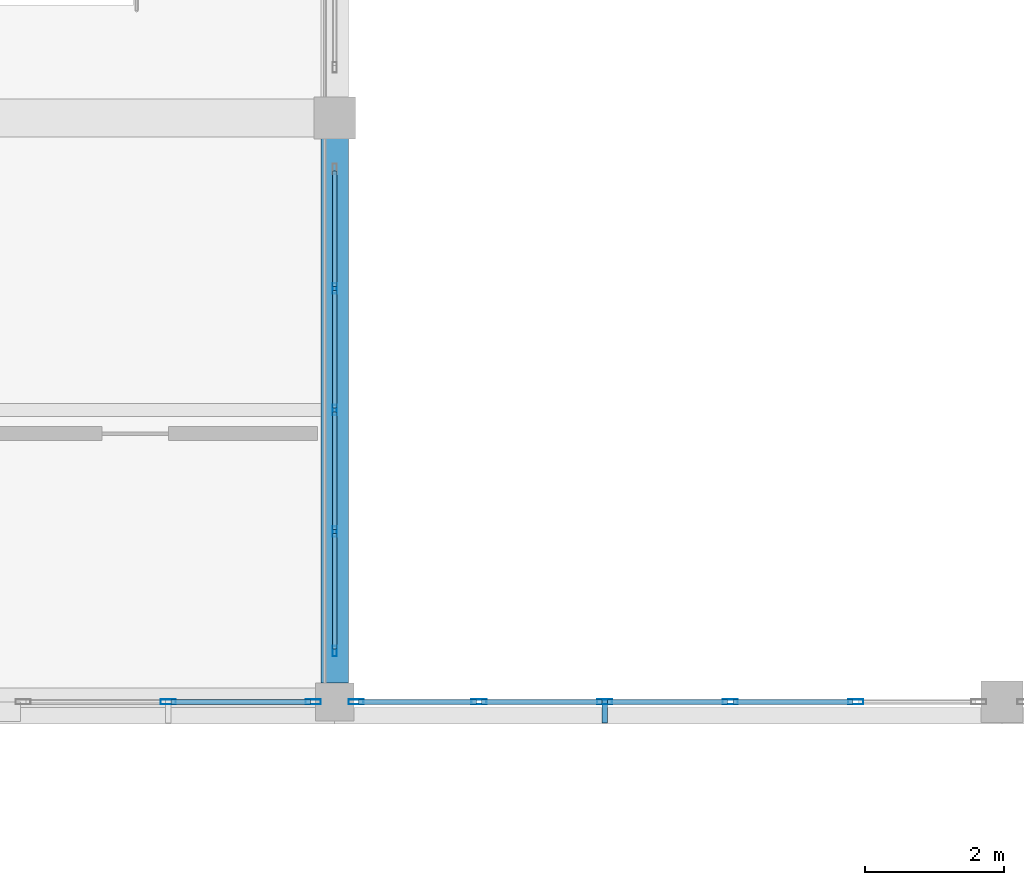
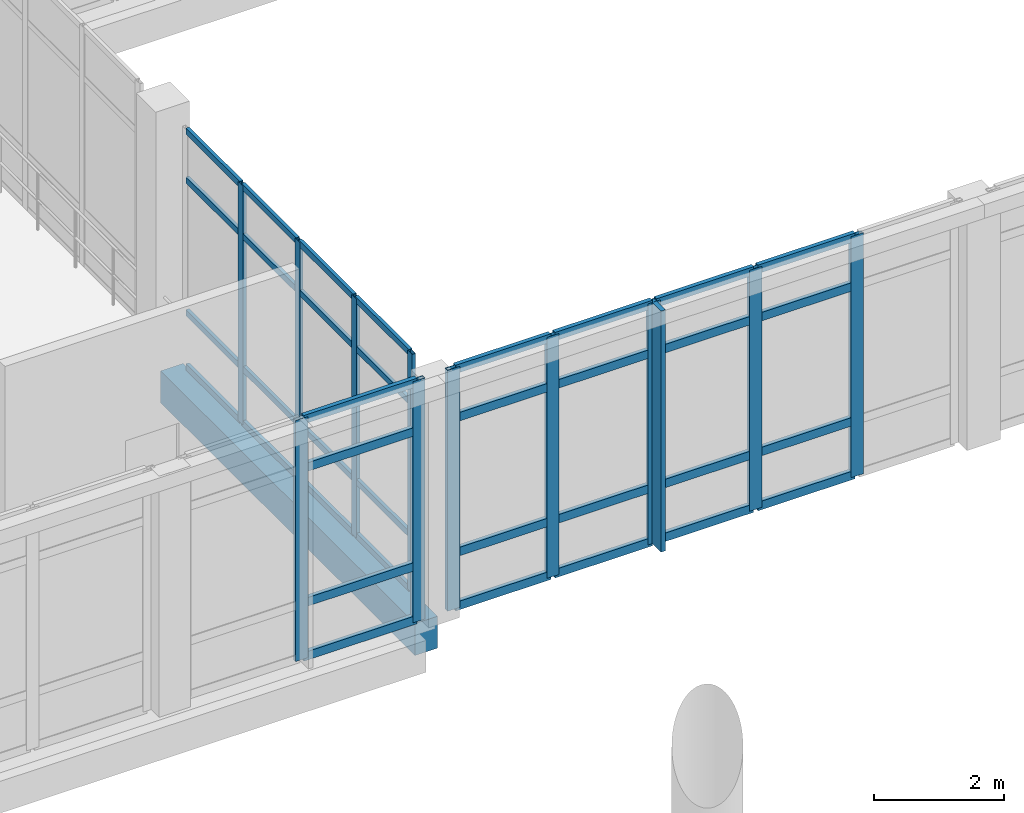
# One storey, part 24 of 88: 48 members, 1 beam, 3 elements without a shape of their own.
"""IFC4 building model written with IfcOpenShell, lengths in metres."""

from ifc_helpers import new_model, si_unit, direction, frame, origin, origin_2d, place, context, subcontext, project, spatial, rectangle, hollow_rectangle, extrude, material, layer, layer_set, material_profile, profile_set, type_object, element, aggregate, save


model = new_model("IFC4")

# Units and contexts
model_context = context("Model", 3, precision=1e-05, world=origin(), true_north=direction((0.0, 1.0)))
body_context = subcontext(model_context, "Body", "Model", "MODEL_VIEW")
ifc_project = project(units=[si_unit("LENGTHUNIT", "METRE"), si_unit("AREAUNIT", "SQUARE_METRE"), si_unit("VOLUMEUNIT", "CUBIC_METRE"), si_unit("PLANEANGLEUNIT", "RADIAN"), si_unit("MASSUNIT", "GRAM", prefix="KILO")], contexts=[model_context])

# Site, building, storey
site_placement = place(None, origin())
site = spatial("IfcSite", under=ifc_project, at=site_placement, CompositionType="ELEMENT")
building_placement = place(site_placement, origin())
building = spatial("IfcBuilding", under=site, at=building_placement, Name="Lornevale Opera House", CompositionType="ELEMENT")
storey_placement = place(building_placement, frame((0.0, 0.0, 10.199951171875)))
storey = spatial("IfcBuildingStorey", under=building, at=storey_placement, Name="L03", CompositionType="ELEMENT", Elevation=10.199951171875)

# Beam
ifc_material_1 = material(Name="Concrete 35 MPa (CSA A23.1 N)", Category="concrete")
ifc_material_profile_1 = material_profile(ifc_material_1, rectangle(XDim=0.39990234375, YDim=0.60009765625, at=origin_2d()), Name="RC400x600")
ifc_profile_set_1 = profile_set([ifc_material_profile_1], Name="Concrete 35 MPa (CSA A23.1 N)")
beam_type = type_object("IfcBeamType", Name="Concrete Spandrel Beam 400x600", PredefinedType="SPANDREL", material=ifc_profile_set_1)
beam_placement = place(storey_placement, frame((67.199951171875, 17.074951171875, -0.579833984375), z_axis=(0.0, 1.0, 0.0), x_axis=(-1.0, 0.0, 0.0)))
element("IfcBeam", 1, at=beam_placement, inside=storey, type_object=beam_type, Name="Concrete Spandrel Beam 400x600 2288", PredefinedType="SPANDREL", context=body_context, shape_type="SweptSolid", body=[
    extrude(rectangle(XDim=0.39990234375, YDim=0.60009765625, at=origin_2d()), origin(), (0.0, 0.0, 1.0), 7.85009765625),
])

# Curtain wall, members
ifc_material_2 = material(Name="Anodized Oxide-Green Aluminium Framing", Category="aluminium")
ifc_layer_1 = layer(ifc_material_2, 0.14990234375)
ifc_layer_set_1 = layer_set([ifc_layer_1], Name="Anodized Oxide-Green Aluminium Framing")
curtain_wall_type_1 = type_object("IfcCurtainWallType", Name="North-Light Clerestory Curtain Wall M1600", PredefinedType="NOTDEFINED", material=ifc_layer_set_1)
curtain_wall_1_placement = place(storey_placement, origin())
curtain_wall_1 = element("IfcCurtainWall", 2, at=curtain_wall_1_placement, inside=storey, type_object=curtain_wall_type_1, Name="North-Light Clerestory Curtain Wall M1600 CW-177", PredefinedType="NOTDEFINED")
ifc_material_profile_2 = material_profile(ifc_material_2, hollow_rectangle(XDim=0.06005859375, YDim=0.14990234375, WallThickness=0.00390625, at=origin_2d()), Name="ALU60x150x4")
ifc_profile_set_2 = profile_set([ifc_material_profile_2], Name="Anodized Oxide-Green Aluminium Framing")
member_type_1 = type_object("IfcMemberType", Name="Curtain Wall Mullion 60x150", PredefinedType="MULLION", material=ifc_profile_set_2)
member_1_placement = place(storey_placement, frame((67.199951171875, 17.530029296875, 0.0), z_axis=(0.0, 0.0, 1.0), x_axis=(-1.0, 0.0, 0.0)))
member_1 = element("IfcMember", 3, at=member_1_placement, type_object=member_type_1, Name="Curtain Wall Mullion 60x150 CW3673", PredefinedType="MULLION", context=body_context, shape_type="SweptSolid", body=[
    extrude(hollow_rectangle(XDim=0.06005859375, YDim=0.14990234375, WallThickness=0.00390625, at=origin_2d()), origin(), (0.0, 0.0, 1.0), 4.5),
])
member_2_placement = place(storey_placement, frame((67.199951171875, 19.25, 0.0), z_axis=(0.0, 0.0, 1.0), x_axis=(-1.0, 0.0, 0.0)))
member_2 = element("IfcMember", 4, at=member_2_placement, type_object=member_type_1, Name="Curtain Wall Mullion 60x150 CW3674", PredefinedType="MULLION", context=body_context, shape_type="SweptSolid", body=[
    extrude(hollow_rectangle(XDim=0.06005859375, YDim=0.14990234375, WallThickness=0.00390625, at=origin_2d()), origin(), (0.0, 0.0, 1.0), 4.5),
])
member_3_placement = place(storey_placement, frame((67.199951171875, 21.0, 0.0), z_axis=(0.0, 0.0, 1.0), x_axis=(-1.0, 0.0, 0.0)))
member_3 = element("IfcMember", 5, at=member_3_placement, type_object=member_type_1, Name="Curtain Wall Mullion 60x150 CW3675", PredefinedType="MULLION", context=body_context, shape_type="SweptSolid", body=[
    extrude(hollow_rectangle(XDim=0.06005859375, YDim=0.14990234375, WallThickness=0.00390625, at=origin_2d()), origin(), (0.0, 0.0, 1.0), 4.5),
])
member_4_placement = place(storey_placement, frame((67.199951171875, 22.75, 0.0), z_axis=(0.0, 0.0, 1.0), x_axis=(-1.0, 0.0, 0.0)))
member_4 = element("IfcMember", 6, at=member_4_placement, type_object=member_type_1, Name="Curtain Wall Mullion 60x150 CW3676", PredefinedType="MULLION", context=body_context, shape_type="SweptSolid", body=[
    extrude(hollow_rectangle(XDim=0.06005859375, YDim=0.14990234375, WallThickness=0.00390625, at=origin_2d()), origin(), (0.0, 0.0, 1.0), 4.5),
])

ifc_layer_2 = layer(ifc_material_2, 0.219970703125)
ifc_layer_set_2 = layer_set([ifc_layer_2], Name="Anodized Oxide-Green Aluminium Framing")
curtain_wall_type_2 = type_object("IfcCurtainWallType", Name="Winter-Garden Curtain Wall M1900", PredefinedType="NOTDEFINED", material=ifc_layer_set_2)
curtain_wall_2_placement = place(storey_placement, origin())
curtain_wall_2 = element("IfcCurtainWall", 7, at=curtain_wall_2_placement, inside=storey, type_object=curtain_wall_type_2, Name="Winter-Garden Curtain Wall M1900 CW-134", PredefinedType="NOTDEFINED")
ifc_material_profile_3 = material_profile(ifc_material_2, hollow_rectangle(XDim=0.074951171875, YDim=0.219970703125, WallThickness=0.0048828125, at=origin_2d()), Name="ALU75x220x5")
ifc_profile_set_3 = profile_set([ifc_material_profile_3], Name="Anodized Oxide-Green Aluminium Framing")
member_type_2 = type_object("IfcMemberType", Name="Curtain Wall Mullion 75x220", PredefinedType="MULLION", material=ifc_profile_set_3)
member_5_placement = place(storey_placement, frame((66.8916015625, 16.800048828125, 0.0), z_axis=(0.0, 0.0, 1.0), x_axis=(0.0, -1.0, 0.0)))
member_5 = element("IfcMember", 8, at=member_5_placement, type_object=member_type_2, Name="Curtain Wall Mullion 75x220 CW2758", PredefinedType="MULLION", context=body_context, shape_type="SweptSolid", body=[
    extrude(hollow_rectangle(XDim=0.074951171875, YDim=0.219970703125, WallThickness=0.0048828125, at=origin_2d()), origin(), (0.0, 0.0, 1.0), 4.5400390625),
])
member_6_placement = place(storey_placement, frame((64.804443359375, 16.800048828125, 0.0), z_axis=(0.0, 0.0, 1.0), x_axis=(0.0, -1.0, 0.0)))
member_6 = element("IfcMember", 9, at=member_6_placement, type_object=member_type_2, Name="Curtain Wall Mullion 75x220 CW2759", PredefinedType="MULLION", context=body_context, shape_type="SweptSolid", body=[
    extrude(hollow_rectangle(XDim=0.074951171875, YDim=0.219970703125, WallThickness=0.0048828125, at=origin_2d()), origin(), (0.0, 0.0, 1.0), 4.5400390625),
])

curtain_wall_3_placement = place(storey_placement, origin())
curtain_wall_3 = element("IfcCurtainWall", 10, at=curtain_wall_3_placement, inside=storey, type_object=curtain_wall_type_2, Name="Winter-Garden Curtain Wall M1900 CW-136", PredefinedType="NOTDEFINED")
member_7_placement = place(storey_placement, frame((74.697509765625, 16.800048828125, 0.0), z_axis=(0.0, 0.0, 1.0), x_axis=(0.0, -1.0, 0.0)))
member_7 = element("IfcMember", 11, at=member_7_placement, type_object=member_type_2, Name="Curtain Wall Mullion 75x220 CW2793", PredefinedType="MULLION", context=body_context, shape_type="SweptSolid", body=[
    extrude(hollow_rectangle(XDim=0.074951171875, YDim=0.219970703125, WallThickness=0.0048828125, at=origin_2d()), origin(), (0.0, 0.0, 1.0), 4.5400390625),
])
member_8_placement = place(storey_placement, frame((72.890869140625, 16.800048828125, 0.0), z_axis=(0.0, 0.0, 1.0), x_axis=(0.0, -1.0, 0.0)))
member_8 = element("IfcMember", 12, at=member_8_placement, type_object=member_type_2, Name="Curtain Wall Mullion 75x220 CW2794", PredefinedType="MULLION", context=body_context, shape_type="SweptSolid", body=[
    extrude(hollow_rectangle(XDim=0.074951171875, YDim=0.219970703125, WallThickness=0.0048828125, at=origin_2d()), origin(), (0.0, 0.0, 1.0), 4.5400390625),
])
member_9_placement = place(storey_placement, frame((71.084228515625, 16.800048828125, 0.0), z_axis=(0.0, 0.0, 1.0), x_axis=(0.0, -1.0, 0.0)))
member_9 = element("IfcMember", 13, at=member_9_placement, type_object=member_type_2, Name="Curtain Wall Mullion 75x220 CW2795", PredefinedType="MULLION", context=body_context, shape_type="SweptSolid", body=[
    extrude(hollow_rectangle(XDim=0.074951171875, YDim=0.219970703125, WallThickness=0.0048828125, at=origin_2d()), origin(), (0.0, 0.0, 1.0), 4.5400390625),
])
member_10_placement = place(storey_placement, frame((69.277587890625, 16.800048828125, 0.0), z_axis=(0.0, 0.0, 1.0), x_axis=(0.0, -1.0, 0.0)))
member_10 = element("IfcMember", 14, at=member_10_placement, type_object=member_type_2, Name="Curtain Wall Mullion 75x220 CW2796", PredefinedType="MULLION", context=body_context, shape_type="SweptSolid", body=[
    extrude(hollow_rectangle(XDim=0.074951171875, YDim=0.219970703125, WallThickness=0.0048828125, at=origin_2d()), origin(), (0.0, 0.0, 1.0), 4.5400390625),
])
member_11_placement = place(storey_placement, frame((67.508544921875, 16.800048828125, 0.0), z_axis=(0.0, 0.0, 1.0), x_axis=(0.0, -1.0, 0.0)))
member_11 = element("IfcMember", 15, at=member_11_placement, type_object=member_type_2, Name="Curtain Wall Mullion 75x220 CW2797", PredefinedType="MULLION", context=body_context, shape_type="SweptSolid", body=[
    extrude(hollow_rectangle(XDim=0.074951171875, YDim=0.219970703125, WallThickness=0.0048828125, at=origin_2d()), origin(), (0.0, 0.0, 1.0), 4.5400390625),
])

# Member
ifc_material_profile_4 = material_profile(ifc_material_2, hollow_rectangle(XDim=0.06005859375, YDim=0.114990234375, WallThickness=0.00390625, at=origin_2d()), Name="ALU60x115x4")
ifc_profile_set_4 = profile_set([ifc_material_profile_4], Name="Anodized Oxide-Green Aluminium Framing")
member_type_3 = type_object("IfcMemberType", Name="Curtain Wall Transom 60x115", PredefinedType="USERDEFINED", material=ifc_profile_set_4)
member_12_placement = place(storey_placement, frame((67.199951171875, 17.56005859375, 0.030029296875), z_axis=(0.0, 1.0, 0.0), x_axis=(-1.0, 0.0, 0.0)))
member_12 = element("IfcMember", 16, at=member_12_placement, type_object=member_type_3, Name="Curtain Wall Transom 60x115 CW3678", ObjectType="TRANSOM", PredefinedType="USERDEFINED", context=body_context, shape_type="SweptSolid", body=[
    extrude(hollow_rectangle(XDim=0.06005859375, YDim=0.114990234375, WallThickness=0.00390625, at=origin_2d()), origin(), (0.0, 0.0, 1.0), 1.659912109375),
])

member_13_placement = place(storey_placement, frame((67.199951171875, 17.56005859375, 1.050048828125), z_axis=(0.0, 1.0, 0.0), x_axis=(-1.0, 0.0, 0.0)))
member_13 = element("IfcMember", 17, at=member_13_placement, type_object=member_type_3, Name="Curtain Wall Transom 60x115 CW3679", ObjectType="TRANSOM", PredefinedType="USERDEFINED", context=body_context, shape_type="SweptSolid", body=[
    extrude(hollow_rectangle(XDim=0.06005859375, YDim=0.114990234375, WallThickness=0.00390625, at=origin_2d()), origin(), (0.0, 0.0, 1.0), 1.659912109375),
])

member_14_placement = place(storey_placement, frame((67.199951171875, 17.56005859375, 3.550048828125), z_axis=(0.0, 1.0, 0.0), x_axis=(-1.0, 0.0, 0.0)))
member_14 = element("IfcMember", 18, at=member_14_placement, type_object=member_type_3, Name="Curtain Wall Transom 60x115 CW3680", ObjectType="TRANSOM", PredefinedType="USERDEFINED", context=body_context, shape_type="SweptSolid", body=[
    extrude(hollow_rectangle(XDim=0.06005859375, YDim=0.114990234375, WallThickness=0.00390625, at=origin_2d()), origin(), (0.0, 0.0, 1.0), 1.659912109375),
])

member_15_placement = place(storey_placement, frame((67.199951171875, 17.56005859375, 4.469970703125), z_axis=(0.0, 1.0, 0.0), x_axis=(-1.0, 0.0, 0.0)))
member_15 = element("IfcMember", 19, at=member_15_placement, type_object=member_type_3, Name="Curtain Wall Transom 60x115 CW3681", ObjectType="TRANSOM", PredefinedType="USERDEFINED", context=body_context, shape_type="SweptSolid", body=[
    extrude(hollow_rectangle(XDim=0.06005859375, YDim=0.114990234375, WallThickness=0.00390625, at=origin_2d()), origin(), (0.0, 0.0, 1.0), 1.659912109375),
])

member_16_placement = place(storey_placement, frame((67.199951171875, 19.280029296875, 0.030029296875), z_axis=(0.0, 1.0, 0.0), x_axis=(-1.0, 0.0, 0.0)))
member_16 = element("IfcMember", 20, at=member_16_placement, type_object=member_type_3, Name="Curtain Wall Transom 60x115 CW3685", ObjectType="TRANSOM", PredefinedType="USERDEFINED", context=body_context, shape_type="SweptSolid", body=[
    extrude(hollow_rectangle(XDim=0.06005859375, YDim=0.114990234375, WallThickness=0.00390625, at=origin_2d()), origin(), (0.0, 0.0, 1.0), 1.68994140625),
])

member_17_placement = place(storey_placement, frame((67.199951171875, 19.280029296875, 1.050048828125), z_axis=(0.0, 1.0, 0.0), x_axis=(-1.0, 0.0, 0.0)))
member_17 = element("IfcMember", 21, at=member_17_placement, type_object=member_type_3, Name="Curtain Wall Transom 60x115 CW3686", ObjectType="TRANSOM", PredefinedType="USERDEFINED", context=body_context, shape_type="SweptSolid", body=[
    extrude(hollow_rectangle(XDim=0.06005859375, YDim=0.114990234375, WallThickness=0.00390625, at=origin_2d()), origin(), (0.0, 0.0, 1.0), 1.68994140625),
])

member_18_placement = place(storey_placement, frame((67.199951171875, 19.280029296875, 3.550048828125), z_axis=(0.0, 1.0, 0.0), x_axis=(-1.0, 0.0, 0.0)))
member_18 = element("IfcMember", 22, at=member_18_placement, type_object=member_type_3, Name="Curtain Wall Transom 60x115 CW3687", ObjectType="TRANSOM", PredefinedType="USERDEFINED", context=body_context, shape_type="SweptSolid", body=[
    extrude(hollow_rectangle(XDim=0.06005859375, YDim=0.114990234375, WallThickness=0.00390625, at=origin_2d()), origin(), (0.0, 0.0, 1.0), 1.68994140625),
])

member_19_placement = place(storey_placement, frame((67.199951171875, 19.280029296875, 4.469970703125), z_axis=(0.0, 1.0, 0.0), x_axis=(-1.0, 0.0, 0.0)))
member_19 = element("IfcMember", 23, at=member_19_placement, type_object=member_type_3, Name="Curtain Wall Transom 60x115 CW3688", ObjectType="TRANSOM", PredefinedType="USERDEFINED", context=body_context, shape_type="SweptSolid", body=[
    extrude(hollow_rectangle(XDim=0.06005859375, YDim=0.114990234375, WallThickness=0.00390625, at=origin_2d()), origin(), (0.0, 0.0, 1.0), 1.68994140625),
])

member_20_placement = place(storey_placement, frame((67.199951171875, 21.030029296875, 0.030029296875), z_axis=(0.0, 1.0, 0.0), x_axis=(-1.0, 0.0, 0.0)))
member_20 = element("IfcMember", 24, at=member_20_placement, type_object=member_type_3, Name="Curtain Wall Transom 60x115 CW3692", ObjectType="TRANSOM", PredefinedType="USERDEFINED", context=body_context, shape_type="SweptSolid", body=[
    extrude(hollow_rectangle(XDim=0.06005859375, YDim=0.114990234375, WallThickness=0.00390625, at=origin_2d()), origin(), (0.0, 0.0, 1.0), 1.68994140625),
])

member_21_placement = place(storey_placement, frame((67.199951171875, 21.030029296875, 1.050048828125), z_axis=(0.0, 1.0, 0.0), x_axis=(-1.0, 0.0, 0.0)))
member_21 = element("IfcMember", 25, at=member_21_placement, type_object=member_type_3, Name="Curtain Wall Transom 60x115 CW3693", ObjectType="TRANSOM", PredefinedType="USERDEFINED", context=body_context, shape_type="SweptSolid", body=[
    extrude(hollow_rectangle(XDim=0.06005859375, YDim=0.114990234375, WallThickness=0.00390625, at=origin_2d()), origin(), (0.0, 0.0, 1.0), 1.68994140625),
])

member_22_placement = place(storey_placement, frame((67.199951171875, 21.030029296875, 3.550048828125), z_axis=(0.0, 1.0, 0.0), x_axis=(-1.0, 0.0, 0.0)))
member_22 = element("IfcMember", 26, at=member_22_placement, type_object=member_type_3, Name="Curtain Wall Transom 60x115 CW3694", ObjectType="TRANSOM", PredefinedType="USERDEFINED", context=body_context, shape_type="SweptSolid", body=[
    extrude(hollow_rectangle(XDim=0.06005859375, YDim=0.114990234375, WallThickness=0.00390625, at=origin_2d()), origin(), (0.0, 0.0, 1.0), 1.68994140625),
])

member_23_placement = place(storey_placement, frame((67.199951171875, 21.030029296875, 4.469970703125), z_axis=(0.0, 1.0, 0.0), x_axis=(-1.0, 0.0, 0.0)))
member_23 = element("IfcMember", 27, at=member_23_placement, type_object=member_type_3, Name="Curtain Wall Transom 60x115 CW3695", ObjectType="TRANSOM", PredefinedType="USERDEFINED", context=body_context, shape_type="SweptSolid", body=[
    extrude(hollow_rectangle(XDim=0.06005859375, YDim=0.114990234375, WallThickness=0.00390625, at=origin_2d()), origin(), (0.0, 0.0, 1.0), 1.68994140625),
])

member_24_placement = place(storey_placement, frame((67.199951171875, 22.780029296875, 0.030029296875), z_axis=(0.0, 1.0, 0.0), x_axis=(-1.0, 0.0, 0.0)))
member_24 = element("IfcMember", 28, at=member_24_placement, type_object=member_type_3, Name="Curtain Wall Transom 60x115 CW3699", ObjectType="TRANSOM", PredefinedType="USERDEFINED", context=body_context, shape_type="SweptSolid", body=[
    extrude(hollow_rectangle(XDim=0.06005859375, YDim=0.114990234375, WallThickness=0.00390625, at=origin_2d()), origin(), (0.0, 0.0, 1.0), 1.659912109375),
])

member_25_placement = place(storey_placement, frame((67.199951171875, 22.780029296875, 1.050048828125), z_axis=(0.0, 1.0, 0.0), x_axis=(-1.0, 0.0, 0.0)))
member_25 = element("IfcMember", 29, at=member_25_placement, type_object=member_type_3, Name="Curtain Wall Transom 60x115 CW3700", ObjectType="TRANSOM", PredefinedType="USERDEFINED", context=body_context, shape_type="SweptSolid", body=[
    extrude(hollow_rectangle(XDim=0.06005859375, YDim=0.114990234375, WallThickness=0.00390625, at=origin_2d()), origin(), (0.0, 0.0, 1.0), 1.659912109375),
])

member_26_placement = place(storey_placement, frame((67.199951171875, 22.780029296875, 3.550048828125), z_axis=(0.0, 1.0, 0.0), x_axis=(-1.0, 0.0, 0.0)))
member_26 = element("IfcMember", 30, at=member_26_placement, type_object=member_type_3, Name="Curtain Wall Transom 60x115 CW3701", ObjectType="TRANSOM", PredefinedType="USERDEFINED", context=body_context, shape_type="SweptSolid", body=[
    extrude(hollow_rectangle(XDim=0.06005859375, YDim=0.114990234375, WallThickness=0.00390625, at=origin_2d()), origin(), (0.0, 0.0, 1.0), 1.659912109375),
])

member_27_placement = place(storey_placement, frame((67.199951171875, 22.780029296875, 4.469970703125), z_axis=(0.0, 1.0, 0.0), x_axis=(-1.0, 0.0, 0.0)))
member_27 = element("IfcMember", 31, at=member_27_placement, type_object=member_type_3, Name="Curtain Wall Transom 60x115 CW3702", ObjectType="TRANSOM", PredefinedType="USERDEFINED", context=body_context, shape_type="SweptSolid", body=[
    extrude(hollow_rectangle(XDim=0.06005859375, YDim=0.114990234375, WallThickness=0.00390625, at=origin_2d()), origin(), (0.0, 0.0, 1.0), 1.659912109375),
])

aggregate(curtain_wall_1, [member_1, member_2, member_3, member_4, member_12, member_13, member_14, member_15, member_16, member_17, member_18, member_19, member_20, member_21, member_22, member_23, member_24, member_25, member_26, member_27])

ifc_material_profile_5 = material_profile(ifc_material_2, hollow_rectangle(XDim=0.074951171875, YDim=0.159912109375, WallThickness=0.0048828125, at=origin_2d()), Name="ALU75x160x5")
ifc_profile_set_5 = profile_set([ifc_material_profile_5], Name="Anodized Oxide-Green Aluminium Framing")
member_type_4 = type_object("IfcMemberType", Name="Curtain Wall Transom 75x160", PredefinedType="USERDEFINED", material=ifc_profile_set_5)
member_28_placement = place(storey_placement, frame((66.85400390625, 16.800048828125, 0.03759765625), z_axis=(-1.0, 0.0, 0.0), x_axis=(0.0, -1.0, 0.0)))
member_28 = element("IfcMember", 32, at=member_28_placement, type_object=member_type_4, Name="Curtain Wall Transom 75x160 CW2761", ObjectType="TRANSOM", PredefinedType="USERDEFINED", context=body_context, shape_type="SweptSolid", body=[
    extrude(hollow_rectangle(XDim=0.074951171875, YDim=0.159912109375, WallThickness=0.0048828125, at=origin_2d()), origin(), (0.0, 0.0, 1.0), 2.011962890625),
])

member_29_placement = place(storey_placement, frame((66.85400390625, 16.800048828125, 1.050048828125), z_axis=(-1.0, 0.0, 0.0), x_axis=(0.0, -1.0, 0.0)))
member_29 = element("IfcMember", 33, at=member_29_placement, type_object=member_type_4, Name="Curtain Wall Transom 75x160 CW2762", ObjectType="TRANSOM", PredefinedType="USERDEFINED", context=body_context, shape_type="SweptSolid", body=[
    extrude(hollow_rectangle(XDim=0.074951171875, YDim=0.159912109375, WallThickness=0.0048828125, at=origin_2d()), origin(), (0.0, 0.0, 1.0), 2.011962890625),
])

member_30_placement = place(storey_placement, frame((66.85400390625, 16.800048828125, 3.590087890625), z_axis=(-1.0, 0.0, 0.0), x_axis=(0.0, -1.0, 0.0)))
member_30 = element("IfcMember", 34, at=member_30_placement, type_object=member_type_4, Name="Curtain Wall Transom 75x160 CW2763", ObjectType="TRANSOM", PredefinedType="USERDEFINED", context=body_context, shape_type="SweptSolid", body=[
    extrude(hollow_rectangle(XDim=0.074951171875, YDim=0.159912109375, WallThickness=0.0048828125, at=origin_2d()), origin(), (0.0, 0.0, 1.0), 2.011962890625),
])

member_31_placement = place(storey_placement, frame((66.85400390625, 16.800048828125, 4.50244140625), z_axis=(-1.0, 0.0, 0.0), x_axis=(0.0, -1.0, 0.0)))
member_31 = element("IfcMember", 35, at=member_31_placement, type_object=member_type_4, Name="Curtain Wall Transom 75x160 CW2764", ObjectType="TRANSOM", PredefinedType="USERDEFINED", context=body_context, shape_type="SweptSolid", body=[
    extrude(hollow_rectangle(XDim=0.074951171875, YDim=0.159912109375, WallThickness=0.0048828125, at=origin_2d()), origin(), (0.0, 0.0, 1.0), 2.011962890625),
])

aggregate(curtain_wall_2, [member_5, member_6, member_28, member_29, member_30, member_31])

member_32_placement = place(storey_placement, frame((74.659912109375, 16.800048828125, 0.03759765625), z_axis=(-1.0, 0.0, 0.0), x_axis=(0.0, -1.0, 0.0)))
member_32 = element("IfcMember", 36, at=member_32_placement, type_object=member_type_4, Name="Curtain Wall Transom 75x160 CW2805", ObjectType="TRANSOM", PredefinedType="USERDEFINED", context=body_context, shape_type="SweptSolid", body=[
    extrude(hollow_rectangle(XDim=0.074951171875, YDim=0.159912109375, WallThickness=0.0048828125, at=origin_2d()), origin(), (0.0, 0.0, 1.0), 1.731689453125),
])

member_33_placement = place(storey_placement, frame((74.659912109375, 16.800048828125, 1.050048828125), z_axis=(-1.0, 0.0, 0.0), x_axis=(0.0, -1.0, 0.0)))
member_33 = element("IfcMember", 37, at=member_33_placement, type_object=member_type_4, Name="Curtain Wall Transom 75x160 CW2806", ObjectType="TRANSOM", PredefinedType="USERDEFINED", context=body_context, shape_type="SweptSolid", body=[
    extrude(hollow_rectangle(XDim=0.074951171875, YDim=0.159912109375, WallThickness=0.0048828125, at=origin_2d()), origin(), (0.0, 0.0, 1.0), 1.731689453125),
])

member_34_placement = place(storey_placement, frame((74.659912109375, 16.800048828125, 3.590087890625), z_axis=(-1.0, 0.0, 0.0), x_axis=(0.0, -1.0, 0.0)))
member_34 = element("IfcMember", 38, at=member_34_placement, type_object=member_type_4, Name="Curtain Wall Transom 75x160 CW2807", ObjectType="TRANSOM", PredefinedType="USERDEFINED", context=body_context, shape_type="SweptSolid", body=[
    extrude(hollow_rectangle(XDim=0.074951171875, YDim=0.159912109375, WallThickness=0.0048828125, at=origin_2d()), origin(), (0.0, 0.0, 1.0), 1.731689453125),
])

member_35_placement = place(storey_placement, frame((74.659912109375, 16.800048828125, 4.50244140625), z_axis=(-1.0, 0.0, 0.0), x_axis=(0.0, -1.0, 0.0)))
member_35 = element("IfcMember", 39, at=member_35_placement, type_object=member_type_4, Name="Curtain Wall Transom 75x160 CW2808", ObjectType="TRANSOM", PredefinedType="USERDEFINED", context=body_context, shape_type="SweptSolid", body=[
    extrude(hollow_rectangle(XDim=0.074951171875, YDim=0.159912109375, WallThickness=0.0048828125, at=origin_2d()), origin(), (0.0, 0.0, 1.0), 1.731689453125),
])

member_36_placement = place(storey_placement, frame((72.853271484375, 16.800048828125, 0.03759765625), z_axis=(-1.0, 0.0, 0.0), x_axis=(0.0, -1.0, 0.0)))
member_36 = element("IfcMember", 40, at=member_36_placement, type_object=member_type_4, Name="Curtain Wall Transom 75x160 CW2812", ObjectType="TRANSOM", PredefinedType="USERDEFINED", context=body_context, shape_type="SweptSolid", body=[
    extrude(hollow_rectangle(XDim=0.074951171875, YDim=0.159912109375, WallThickness=0.0048828125, at=origin_2d()), origin(), (0.0, 0.0, 1.0), 1.731689453125),
])

member_37_placement = place(storey_placement, frame((72.853271484375, 16.800048828125, 1.050048828125), z_axis=(-1.0, 0.0, 0.0), x_axis=(0.0, -1.0, 0.0)))
member_37 = element("IfcMember", 41, at=member_37_placement, type_object=member_type_4, Name="Curtain Wall Transom 75x160 CW2813", ObjectType="TRANSOM", PredefinedType="USERDEFINED", context=body_context, shape_type="SweptSolid", body=[
    extrude(hollow_rectangle(XDim=0.074951171875, YDim=0.159912109375, WallThickness=0.0048828125, at=origin_2d()), origin(), (0.0, 0.0, 1.0), 1.731689453125),
])

member_38_placement = place(storey_placement, frame((72.853271484375, 16.800048828125, 3.590087890625), z_axis=(-1.0, 0.0, 0.0), x_axis=(0.0, -1.0, 0.0)))
member_38 = element("IfcMember", 42, at=member_38_placement, type_object=member_type_4, Name="Curtain Wall Transom 75x160 CW2814", ObjectType="TRANSOM", PredefinedType="USERDEFINED", context=body_context, shape_type="SweptSolid", body=[
    extrude(hollow_rectangle(XDim=0.074951171875, YDim=0.159912109375, WallThickness=0.0048828125, at=origin_2d()), origin(), (0.0, 0.0, 1.0), 1.731689453125),
])

member_39_placement = place(storey_placement, frame((72.853271484375, 16.800048828125, 4.50244140625), z_axis=(-1.0, 0.0, 0.0), x_axis=(0.0, -1.0, 0.0)))
member_39 = element("IfcMember", 43, at=member_39_placement, type_object=member_type_4, Name="Curtain Wall Transom 75x160 CW2815", ObjectType="TRANSOM", PredefinedType="USERDEFINED", context=body_context, shape_type="SweptSolid", body=[
    extrude(hollow_rectangle(XDim=0.074951171875, YDim=0.159912109375, WallThickness=0.0048828125, at=origin_2d()), origin(), (0.0, 0.0, 1.0), 1.731689453125),
])

member_40_placement = place(storey_placement, frame((71.046630859375, 16.800048828125, 0.03759765625), z_axis=(-1.0, 0.0, 0.0), x_axis=(0.0, -1.0, 0.0)))
member_40 = element("IfcMember", 44, at=member_40_placement, type_object=member_type_4, Name="Curtain Wall Transom 75x160 CW2819", ObjectType="TRANSOM", PredefinedType="USERDEFINED", context=body_context, shape_type="SweptSolid", body=[
    extrude(hollow_rectangle(XDim=0.074951171875, YDim=0.159912109375, WallThickness=0.0048828125, at=origin_2d()), origin(), (0.0, 0.0, 1.0), 1.7314453125),
])

member_41_placement = place(storey_placement, frame((71.046630859375, 16.800048828125, 1.050048828125), z_axis=(-1.0, 0.0, 0.0), x_axis=(0.0, -1.0, 0.0)))
member_41 = element("IfcMember", 45, at=member_41_placement, type_object=member_type_4, Name="Curtain Wall Transom 75x160 CW2820", ObjectType="TRANSOM", PredefinedType="USERDEFINED", context=body_context, shape_type="SweptSolid", body=[
    extrude(hollow_rectangle(XDim=0.074951171875, YDim=0.159912109375, WallThickness=0.0048828125, at=origin_2d()), origin(), (0.0, 0.0, 1.0), 1.7314453125),
])

member_42_placement = place(storey_placement, frame((71.046630859375, 16.800048828125, 3.590087890625), z_axis=(-1.0, 0.0, 0.0), x_axis=(0.0, -1.0, 0.0)))
member_42 = element("IfcMember", 46, at=member_42_placement, type_object=member_type_4, Name="Curtain Wall Transom 75x160 CW2821", ObjectType="TRANSOM", PredefinedType="USERDEFINED", context=body_context, shape_type="SweptSolid", body=[
    extrude(hollow_rectangle(XDim=0.074951171875, YDim=0.159912109375, WallThickness=0.0048828125, at=origin_2d()), origin(), (0.0, 0.0, 1.0), 1.7314453125),
])

member_43_placement = place(storey_placement, frame((71.046630859375, 16.800048828125, 4.50244140625), z_axis=(-1.0, 0.0, 0.0), x_axis=(0.0, -1.0, 0.0)))
member_43 = element("IfcMember", 47, at=member_43_placement, type_object=member_type_4, Name="Curtain Wall Transom 75x160 CW2822", ObjectType="TRANSOM", PredefinedType="USERDEFINED", context=body_context, shape_type="SweptSolid", body=[
    extrude(hollow_rectangle(XDim=0.074951171875, YDim=0.159912109375, WallThickness=0.0048828125, at=origin_2d()), origin(), (0.0, 0.0, 1.0), 1.7314453125),
])

member_44_placement = place(storey_placement, frame((69.239990234375, 16.800048828125, 0.03759765625), z_axis=(-1.0, 0.0, 0.0), x_axis=(0.0, -1.0, 0.0)))
member_44 = element("IfcMember", 48, at=member_44_placement, type_object=member_type_4, Name="Curtain Wall Transom 75x160 CW2826", ObjectType="TRANSOM", PredefinedType="USERDEFINED", context=body_context, shape_type="SweptSolid", body=[
    extrude(hollow_rectangle(XDim=0.074951171875, YDim=0.159912109375, WallThickness=0.0048828125, at=origin_2d()), origin(), (0.0, 0.0, 1.0), 1.694091796875),
])

member_45_placement = place(storey_placement, frame((69.239990234375, 16.800048828125, 1.050048828125), z_axis=(-1.0, 0.0, 0.0), x_axis=(0.0, -1.0, 0.0)))
member_45 = element("IfcMember", 49, at=member_45_placement, type_object=member_type_4, Name="Curtain Wall Transom 75x160 CW2827", ObjectType="TRANSOM", PredefinedType="USERDEFINED", context=body_context, shape_type="SweptSolid", body=[
    extrude(hollow_rectangle(XDim=0.074951171875, YDim=0.159912109375, WallThickness=0.0048828125, at=origin_2d()), origin(), (0.0, 0.0, 1.0), 1.694091796875),
])

member_46_placement = place(storey_placement, frame((69.239990234375, 16.800048828125, 3.590087890625), z_axis=(-1.0, 0.0, 0.0), x_axis=(0.0, -1.0, 0.0)))
member_46 = element("IfcMember", 50, at=member_46_placement, type_object=member_type_4, Name="Curtain Wall Transom 75x160 CW2828", ObjectType="TRANSOM", PredefinedType="USERDEFINED", context=body_context, shape_type="SweptSolid", body=[
    extrude(hollow_rectangle(XDim=0.074951171875, YDim=0.159912109375, WallThickness=0.0048828125, at=origin_2d()), origin(), (0.0, 0.0, 1.0), 1.694091796875),
])

member_47_placement = place(storey_placement, frame((69.239990234375, 16.800048828125, 4.50244140625), z_axis=(-1.0, 0.0, 0.0), x_axis=(0.0, -1.0, 0.0)))
member_47 = element("IfcMember", 51, at=member_47_placement, type_object=member_type_4, Name="Curtain Wall Transom 75x160 CW2829", ObjectType="TRANSOM", PredefinedType="USERDEFINED", context=body_context, shape_type="SweptSolid", body=[
    extrude(hollow_rectangle(XDim=0.074951171875, YDim=0.159912109375, WallThickness=0.0048828125, at=origin_2d()), origin(), (0.0, 0.0, 1.0), 1.694091796875),
])

ifc_material_3 = material(Name="Architectural Bronze Solar Louvre Alloy", Category="metal")
ifc_material_profile_6 = material_profile(ifc_material_3, rectangle(XDim=0.080078125, YDim=0.360107421875, at=origin_2d()), Name="FIN80x360")
ifc_profile_set_6 = profile_set([ifc_material_profile_6], Name="Architectural Bronze Solar Louvre Alloy")
member_type_5 = type_object("IfcMemberType", Name="Solar Shading Fin 80x360", PredefinedType="USERDEFINED", material=ifc_profile_set_6)
member_48_placement = place(storey_placement, frame((71.084228515625, 16.674072265625, 0.0), z_axis=(0.0, 0.0, 1.0), x_axis=(-1.0, 0.0, 0.0)))
member_48 = element("IfcMember", 52, at=member_48_placement, type_object=member_type_5, Name="Solar Shading Fin 80x360 FIN0055", ObjectType="SOLAR FIN", PredefinedType="USERDEFINED", context=body_context, shape_type="SweptSolid", body=[
    extrude(rectangle(XDim=0.080078125, YDim=0.360107421875, at=origin_2d()), origin(), (0.0, 0.0, 1.0), 4.5400390625),
])

aggregate(curtain_wall_3, [member_7, member_8, member_9, member_10, member_11, member_32, member_33, member_34, member_35, member_36, member_37, member_38, member_39, member_40, member_41, member_42, member_43, member_44, member_45, member_46, member_47, member_48])

save(model, "model.ifc")
